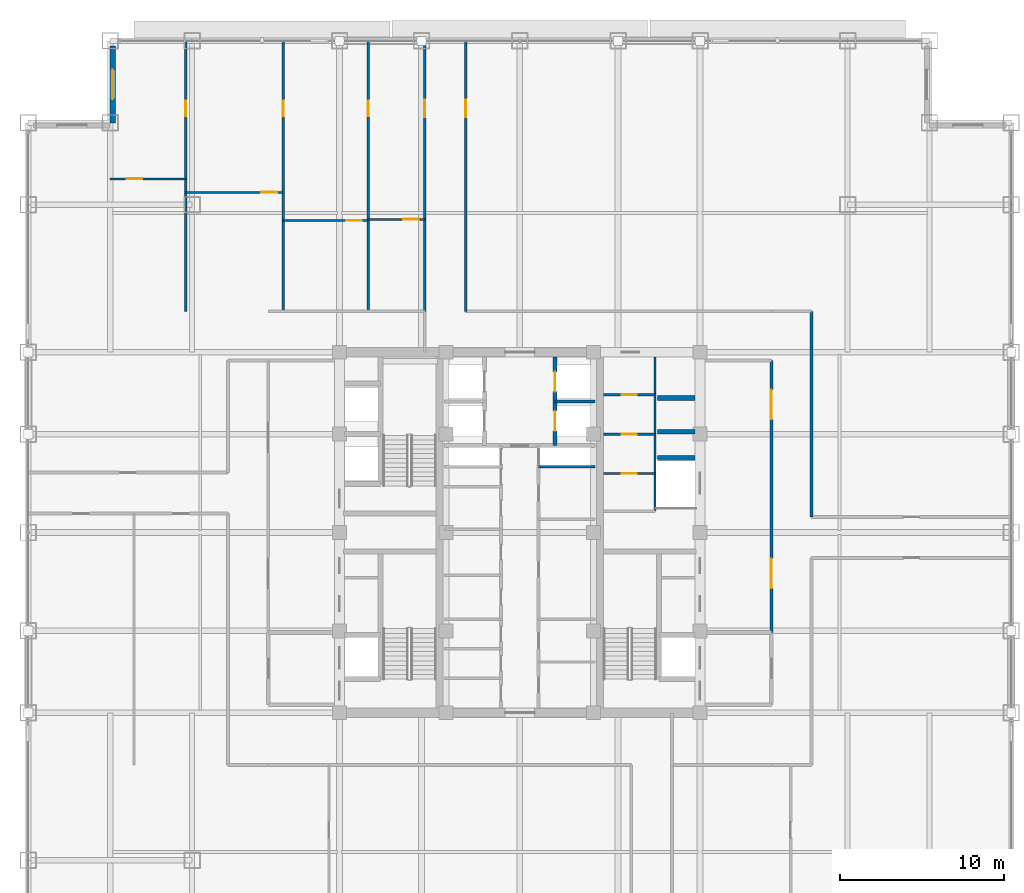
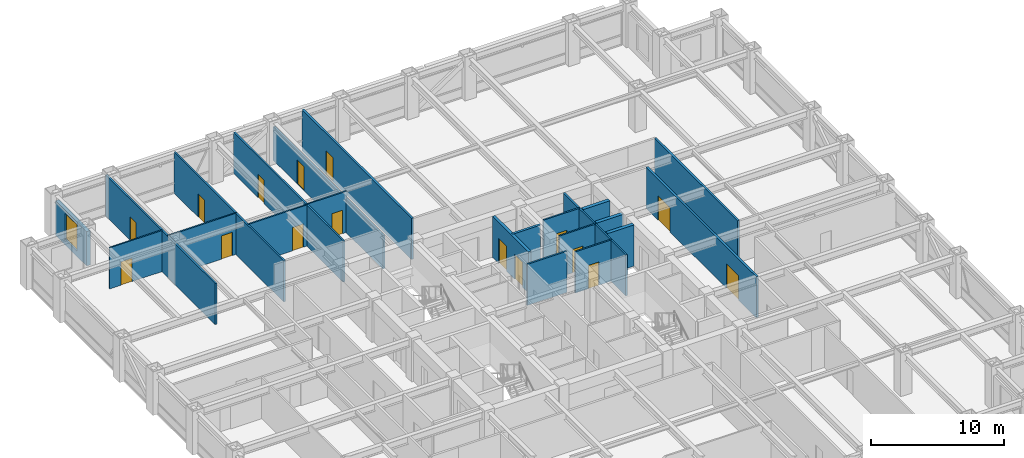
# One storey, part 23 of 29: 22 walls, 16 doors, 1 window, 17 openings.
"""IFC4 building model written with IfcOpenShell, lengths in metres."""

from ifc_helpers import new_model, si_unit, direction, frame, frame_2d, origin, place, context, subcontext, project, spatial, rectangle, extrude, source, transform, mapped, material, layer, layer_set, type_object, element, fill, save


model = new_model("IFC4")

# Units and contexts
model_context = context("Model", 3, precision=1e-05, world=origin(), true_north=direction((0.0, 1.0)))
body_context = subcontext(model_context, "Body", "Model", "MODEL_VIEW")
ifc_project = project(units=[si_unit("LENGTHUNIT", "METRE"), si_unit("AREAUNIT", "SQUARE_METRE"), si_unit("VOLUMEUNIT", "CUBIC_METRE"), si_unit("PLANEANGLEUNIT", "RADIAN"), si_unit("MASSUNIT", "GRAM", prefix="KILO")], contexts=[model_context])

# Site, building, storey
site_placement = place(None, origin())
site = spatial("IfcSite", under=ifc_project, at=site_placement, CompositionType="ELEMENT")
building_placement = place(site_placement, origin())
building = spatial("IfcBuilding", under=site, at=building_placement, Name="Khorayat Bourse Tower", CompositionType="ELEMENT")
storey_placement = place(building_placement, frame((0.0, 0.0, 235.10009765625)))
storey = spatial("IfcBuildingStorey", under=building, at=storey_placement, Name="L55", CompositionType="ELEMENT", Elevation=235.10009765625)

# Wall, opening, window
ifc_material_1 = material(Name="Precast concrete C45/55", Category="concrete")
ifc_layer_1 = layer(ifc_material_1, 0.320068359375)
ifc_layer_set_1 = layer_set([ifc_layer_1], Name="Precast concrete C45/55")
wall_type_1 = type_object("IfcWallType", Name="WAL-EXT-STONE-320", PredefinedType="STANDARD", material=ifc_layer_set_1)
shared_shape_1 = source(origin(), body_context, "Body", "SweptSolid", [
    extrude(rectangle(XDim=4.679931640625, YDim=0.320068359375, at=frame_2d((2.33984375, 0.0))), origin(), (0.0, 0.0, 1.0), 3.163818359375),
])
wall_1_placement = place(storey_placement, frame((-24.840087890625, 25.0, 0.0), z_axis=(0.0, 0.0, 1.0), x_axis=(0.0, 1.0, 0.0)))
wall_1 = element("IfcWall", 1, at=wall_1_placement, inside=storey, type_object=wall_type_1, Name="L55 Re-Entrant Notch Limestone Wall NW-V", PredefinedType="STANDARD", context=body_context, shape_type="MappedRepresentation", body=[
    mapped(shared_shape_1, transform((0.0, 0.0, 0.0), scale=1.0)),
])
shared_shape_2 = source(origin(), body_context, "Body", "SweptSolid", [
    extrude(rectangle(XDim=1.800048828125, YDim=2.39990234375, at=frame_2d((0.89990234375, 1.199951171875))), frame((0.0, 0.169921875, 0.0), z_axis=(0.0, -1.0, 0.0), x_axis=(1.0, 0.0, 0.0)), (0.0, 0.0, 1.0), 0.340087890625),
])
opening_1_placement = place(wall_1_placement, frame((1.43994140625, 0.0, 0.5)))
opening_1 = element("IfcOpeningElement", 2, at=opening_1_placement, cuts=wall_1, Name="Opening WN-04", PredefinedType="OPENING", context=body_context, shape_type="MappedRepresentation", body=[
    mapped(shared_shape_2, transform((0.0, 0.0, 0.0), scale=1.0)),
])
ifc_material_2 = material(Name="Low-E acoustic laminated double glazing", Category="glass")
window_type = type_object("IfcWindowType", Name="WIN-NOTCH-1800x2400", PartitioningType="SINGLE_PANEL", PredefinedType="WINDOW", material=ifc_material_2)
shared_shape_3 = source(origin(), body_context, "Body", "SweptSolid", [
    extrude(rectangle(XDim=1.800048828125, YDim=2.39990234375, at=frame_2d((0.89990234375, 1.199951171875))), frame((0.0, 0.030029296875, 0.0), z_axis=(0.0, -1.0, 0.0), x_axis=(1.0, 0.0, 0.0)), (0.0, 0.0, 1.0), 0.06005859375),
])
window_placement = place(opening_1_placement, origin())
window = element("IfcWindow", 3, at=window_placement, inside=storey, type_object=window_type, Name="L55 Facade Window 1", OverallHeight=2.39990234375, OverallWidth=1.800048828125, PartitioningType="SINGLE_PANEL", PredefinedType="WINDOW", context=body_context, shape_type="MappedRepresentation", body=[
    mapped(shared_shape_3, transform((0.0, 0.0, 0.0), scale=1.0)),
])
fill(opening_1, window)

# Walls
ifc_material_3 = material(Name="Concrete C50/60", Category="concrete")
ifc_layer_2 = layer(ifc_material_3, 0.300048828125)
ifc_layer_set_2 = layer_set([ifc_layer_2], Name="Concrete C50/60")
wall_type_2 = type_object("IfcWallType", Name="WAL-SHAFT-300", PredefinedType="SHEAR", material=ifc_layer_set_2)
shared_shape_4 = source(origin(), body_context, "Body", "SweptSolid", [
    extrude(rectangle(XDim=2.300048828125, YDim=0.300048828125, at=frame_2d((1.14990234375, 0.0))), origin(), (0.0, 0.0, 1.0), 3.77978515625),
])
for number, where, z_axis, x_axis, name in (
    (4, (8.39990234375, 4.550048828125, 0.0), (0.0, 0.0, 1.0), (1.0, 0.0, 0.0), "L55 Partition WAL-L55-EPIER-SVLN"),
    (5, (8.39990234375, 6.14990234375, 0.0), (0.0, 0.0, 1.0), (1.0, 0.0, 0.0), "L55 Partition WAL-L55-EPIER-H3S"),
    (6, (8.39990234375, 8.199951171875, 0.0), (0.0, 0.0, 1.0), (1.0, 0.0, 0.0), "L55 Partition WAL-L55-EPIER-H34"),
):
    element("IfcWall", number, at=place(storey_placement, frame(where, z_axis=z_axis, x_axis=x_axis)), inside=storey, type_object=wall_type_2, Name=name, PredefinedType="SHEAR", context=body_context, shape_type="MappedRepresentation", body=[
        mapped(shared_shape_4, transform((0.0, 0.0, 0.0), scale=1.0)),
    ])
ifc_material_4 = material(Name="Moisture-resistant masonry partition", Category="masonry")
ifc_layer_3 = layer(ifc_material_4, 0.139892578125)
ifc_layer_set_3 = layer_set([ifc_layer_3], Name="Moisture-resistant masonry partition")
wall_type_3 = type_object("IfcWallType", Name="WAL-PART-WET-140", PredefinedType="PARTITIONING", material=ifc_layer_set_3)
shared_shape_5 = source(origin(), body_context, "Body", "SweptSolid", [
    extrude(rectangle(XDim=9.39990234375, YDim=0.139892578125, at=frame_2d((4.699951171875, 0.0))), origin(), (0.0, 0.0, 1.0), 3.77978515625),
])
wall_2_placement = place(storey_placement, frame((8.25, 1.300048828125, 0.0), z_axis=(0.0, 0.0, 1.0), x_axis=(0.0, 1.0, 0.0)))
element("IfcWall", 7, at=wall_2_placement, inside=storey, type_object=wall_type_3, Name="L55 Partition WAL-L55-ECORE-E", PredefinedType="PARTITIONING", context=body_context, shape_type="MappedRepresentation", body=[
    mapped(shared_shape_5, transform((0.0, 0.0, 0.0), scale=1.0)),
])

# Wall, opening, door
shared_shape_6 = source(origin(), body_context, "Body", "SweptSolid", [
    extrude(rectangle(XDim=3.14990234375, YDim=0.139892578125, at=frame_2d((1.574951171875, 0.0))), origin(), (0.0, 0.0, 1.0), 3.77978515625),
])
wall_3_placement = place(storey_placement, frame((5.10009765625, 8.39990234375, 0.0), z_axis=(0.0, 0.0, 1.0), x_axis=(1.0, 0.0, 0.0)))
wall_3 = element("IfcWall", 8, at=wall_3_placement, inside=storey, type_object=wall_type_3, Name="L55 Partition WAL-L55-ECW-TOP", PredefinedType="PARTITIONING", context=body_context, shape_type="MappedRepresentation", body=[
    mapped(shared_shape_6, transform((0.0, 0.0, 0.0), scale=1.0)),
])
shared_shape_7 = source(origin(), body_context, "Body", "SweptSolid", [
    extrude(rectangle(XDim=0.89990234375, YDim=2.14990234375, at=frame_2d((0.449951171875, 1.074951171875))), frame((0.0, 0.079833984375, 0.0), z_axis=(0.0, -1.0, 0.0), x_axis=(1.0, 0.0, 0.0)), (0.0, 0.0, 1.0), 0.159912109375),
])
opening_2_placement = place(wall_3_placement, frame((1.1298828125, 0.0, 0.0)))
opening_2 = element("IfcOpeningElement", 9, at=opening_2_placement, cuts=wall_3, Name="Opening DI-06", PredefinedType="OPENING", context=body_context, shape_type="MappedRepresentation", body=[
    mapped(shared_shape_7, transform((0.0, 0.0, 0.0), scale=1.0)),
])
ifc_material_5 = material(Name="Moisture-resistant laminate washroom door")
door_type_1 = type_object("IfcDoorType", Name="DR-INT-WC-900", OperationType="NOTDEFINED", PredefinedType="DOOR", material=ifc_material_5)
shared_shape_8 = source(origin(), body_context, "Body", "SweptSolid", [
    extrude(rectangle(XDim=0.89990234375, YDim=2.14990234375, at=frame_2d((0.449951171875, 1.074951171875))), frame((0.0, 0.02490234375, 0.0), z_axis=(0.0, -1.0, 0.0), x_axis=(1.0, 0.0, 0.0)), (0.0, 0.0, 1.0), 0.050048828125),
])
door_1_placement = place(opening_2_placement, origin())
door_1 = element("IfcDoor", 10, at=door_1_placement, inside=storey, type_object=door_type_1, Name="L55 Accessible WC Door", OperationType="SINGLE_SWING_LEFT", OverallHeight=2.14990234375, OverallWidth=0.89990234375, PredefinedType="DOOR", context=body_context, shape_type="MappedRepresentation", body=[
    mapped(shared_shape_8, transform((0.0, 0.0, 0.0), scale=1.0)),
])
fill(opening_2, door_1)

wall_4_placement = place(storey_placement, frame((5.10009765625, 6.0, 0.0), z_axis=(0.0, 0.0, 1.0), x_axis=(1.0, 0.0, 0.0)))
wall_4 = element("IfcWall", 11, at=wall_4_placement, inside=storey, type_object=wall_type_3, Name="L55 Partition WAL-L55-ECW-H1", PredefinedType="PARTITIONING", context=body_context, shape_type="MappedRepresentation", body=[
    mapped(shared_shape_6, transform((0.0, 0.0, 0.0), scale=1.0)),
])
opening_3_placement = place(wall_4_placement, frame((1.1298828125, 0.0, 0.0)))
opening_3 = element("IfcOpeningElement", 12, at=opening_3_placement, cuts=wall_4, Name="Opening DI-06", PredefinedType="OPENING", context=body_context, shape_type="MappedRepresentation", body=[
    mapped(shared_shape_7, transform((0.0, 0.0, 0.0), scale=1.0)),
])
door_2_placement = place(opening_3_placement, origin())
door_2 = element("IfcDoor", 13, at=door_2_placement, inside=storey, type_object=door_type_1, Name="L55 Shared Washroom Door", OperationType="SINGLE_SWING_RIGHT", OverallHeight=2.14990234375, OverallWidth=0.89990234375, PredefinedType="DOOR", context=body_context, shape_type="MappedRepresentation", body=[
    mapped(shared_shape_8, transform((0.0, 0.0, 0.0), scale=1.0)),
])
fill(opening_3, door_2)

wall_5_placement = place(storey_placement, frame((5.10009765625, 3.60009765625, 0.0), z_axis=(0.0, 0.0, 1.0), x_axis=(1.0, 0.0, 0.0)))
wall_5 = element("IfcWall", 14, at=wall_5_placement, inside=storey, type_object=wall_type_3, Name="L55 Partition WAL-L55-ECW-H2", PredefinedType="PARTITIONING", context=body_context, shape_type="MappedRepresentation", body=[
    mapped(shared_shape_6, transform((0.0, 0.0, 0.0), scale=1.0)),
])
opening_4_placement = place(wall_5_placement, frame((1.1298828125, 0.0, 0.0)))
opening_4 = element("IfcOpeningElement", 15, at=opening_4_placement, cuts=wall_5, Name="Opening DI-06", PredefinedType="OPENING", context=body_context, shape_type="MappedRepresentation", body=[
    mapped(shared_shape_7, transform((0.0, 0.0, 0.0), scale=1.0)),
])
door_3_placement = place(opening_4_placement, origin())
door_3 = element("IfcDoor", 16, at=door_3_placement, inside=storey, type_object=door_type_1, Name="L55 Staff Washroom Door", OperationType="SINGLE_SWING_LEFT", OverallHeight=2.14990234375, OverallWidth=0.89990234375, PredefinedType="DOOR", context=body_context, shape_type="MappedRepresentation", body=[
    mapped(shared_shape_8, transform((0.0, 0.0, 0.0), scale=1.0)),
])
fill(opening_4, door_3)

# Wall, openings, doors
ifc_material_6 = material(Name="Gypsum plasterboard acoustic stud wall")
ifc_layer_4 = layer(ifc_material_6, 0.179931640625)
ifc_layer_set_4 = layer_set([ifc_layer_4], Name="Gypsum plasterboard acoustic stud wall")
wall_type_4 = type_object("IfcWallType", Name="WAL-PART-CORR-180", PredefinedType="PARTITIONING", material=ifc_layer_set_4)
shared_shape_9 = source(origin(), body_context, "Body", "SweptSolid", [
    extrude(rectangle(XDim=16.60009765625, YDim=0.179931640625, at=frame_2d((8.300048828125, 0.0))), origin(), (0.0, 0.0, 1.0), 3.77978515625),
])
wall_6_placement = place(storey_placement, frame((15.35009765625, -6.10009765625, 0.0), z_axis=(0.0, 0.0, 1.0), x_axis=(0.0, 1.0, 0.0)))
wall_6 = element("IfcWall", 17, at=wall_6_placement, inside=storey, type_object=wall_type_4, Name="L55 Partition WAL-L55-ELOB-E", PredefinedType="PARTITIONING", context=body_context, shape_type="MappedRepresentation", body=[
    mapped(shared_shape_9, transform((0.0, 0.0, 0.0), scale=1.0)),
])
shared_shape_10 = source(origin(), body_context, "Body", "SweptSolid", [
    extrude(rectangle(XDim=1.800048828125, YDim=2.25, at=frame_2d((0.89990234375, 1.125))), frame((0.0, 0.099853515625, 0.0), z_axis=(0.0, -1.0, 0.0), x_axis=(1.0, 0.0, 0.0)), (0.0, 0.0, 1.0), 0.199951171875),
])
opening_5_placement = place(wall_6_placement, frame((2.699951171875, 0.0, 0.0)))
opening_5 = element("IfcOpeningElement", 18, at=opening_5_placement, cuts=wall_6, Name="Opening DI-03", PredefinedType="OPENING", context=body_context, shape_type="MappedRepresentation", body=[
    mapped(shared_shape_10, transform((0.0, 0.0, 0.0), scale=1.0)),
])
opening_6_placement = place(wall_6_placement, frame((13.0, 0.0, 0.0)))
opening_6 = element("IfcOpeningElement", 19, at=opening_6_placement, cuts=wall_6, Name="Opening DI-03", PredefinedType="OPENING", context=body_context, shape_type="MappedRepresentation", body=[
    mapped(shared_shape_10, transform((0.0, 0.0, 0.0), scale=1.0)),
])
ifc_material_7 = material(Name="Fire-rated hardwood vision-panel double leaf", Category="wood")
door_type_2 = type_object("IfcDoorType", Name="DR-INT-CORR-1800", OperationType="NOTDEFINED", PredefinedType="DOOR", material=ifc_material_7)
shared_shape_11 = source(origin(), body_context, "Body", "SweptSolid", [
    extrude(rectangle(XDim=1.800048828125, YDim=2.25, at=frame_2d((0.89990234375, 1.125))), frame((0.0, 0.02490234375, 0.0), z_axis=(0.0, -1.0, 0.0), x_axis=(1.0, 0.0, 0.0)), (0.0, 0.0, 1.0), 0.050048828125),
])
door_4_placement = place(opening_5_placement, origin())
door_4 = element("IfcDoor", 20, at=door_4_placement, inside=storey, type_object=door_type_2, Name="L55 East Core Lobby South Door", OperationType="SINGLE_SWING_RIGHT", OverallHeight=2.25, OverallWidth=1.800048828125, PredefinedType="DOOR", context=body_context, shape_type="MappedRepresentation", body=[
    mapped(shared_shape_11, transform((0.0, 0.0, 0.0), scale=1.0)),
])
fill(opening_5, door_4)
door_5_placement = place(opening_6_placement, origin())
door_5 = element("IfcDoor", 21, at=door_5_placement, inside=storey, type_object=door_type_2, Name="L55 East Core Lobby North Door", OperationType="SINGLE_SWING_LEFT", OverallHeight=2.25, OverallWidth=1.800048828125, PredefinedType="DOOR", context=body_context, shape_type="MappedRepresentation", body=[
    mapped(shared_shape_11, transform((0.0, 0.0, 0.0), scale=1.0)),
])
fill(opening_6, door_5)

# Wall
ifc_material_8 = material(Name="Gypsum plasterboard twin-frame partition")
ifc_layer_5 = layer(ifc_material_8, 0.14990234375)
ifc_layer_set_5 = layer_set([ifc_layer_5], Name="Gypsum plasterboard twin-frame partition")
wall_type_5 = type_object("IfcWallType", Name="WAL-PART-SUITE-150", PredefinedType="PARTITIONING", material=ifc_layer_set_5)
shared_shape_12 = source(origin(), body_context, "Body", "SweptSolid", [
    extrude(rectangle(XDim=3.4501953125, YDim=0.14990234375, at=frame_2d((1.72509765625, 0.0))), origin(), (0.0, 0.0, 1.0), 3.77978515625),
])
wall_7_placement = place(storey_placement, frame((1.14990234375, 4.0, 0.0), z_axis=(0.0, 0.0, 1.0), x_axis=(1.0, 0.0, 0.0)))
element("IfcWall", 22, at=wall_7_placement, inside=storey, type_object=wall_type_5, Name="L55 Partition WAL-L55-CRSE-S", PredefinedType="PARTITIONING", context=body_context, shape_type="MappedRepresentation", body=[
    mapped(shared_shape_12, transform((0.0, 0.0, 0.0), scale=1.0)),
])

# Wall, openings, doors
shared_shape_13 = source(origin(), body_context, "Body", "SweptSolid", [
    extrude(rectangle(XDim=5.39990234375, YDim=0.25, at=frame_2d((2.699951171875, 0.0))), origin(), (0.0, 0.0, 1.0), 3.77978515625),
])
wall_8_placement = place(storey_placement, frame((2.14990234375, 5.300048828125, 0.0), z_axis=(0.0, 0.0, 1.0), x_axis=(0.0, 1.0, 0.0)))
wall_8 = element("IfcWall", 23, at=wall_8_placement, inside=storey, type_object=wall_type_2, Name="L55 Partition WAL-L55-B2-E", PredefinedType="SHEAR", context=body_context, shape_type="MappedRepresentation", body=[
    mapped(shared_shape_13, transform((0.0, 0.0, 0.0), scale=1.0)),
])
shared_shape_14 = source(origin(), body_context, "Body", "SweptSolid", [
    extrude(rectangle(XDim=1.199951171875, YDim=2.300048828125, at=frame_2d((0.60009765625, 1.14990234375))), frame((0.0, 0.135009765625, 0.0), z_axis=(0.0, -1.0, 0.0), x_axis=(1.0, 0.0, 0.0)), (0.0, 0.0, 1.0), 0.27001953125),
])
opening_7_placement = place(wall_8_placement, frame((3.300048828125, 0.0, 0.0)))
opening_7 = element("IfcOpeningElement", 24, at=opening_7_placement, cuts=wall_8, Name="Opening LD-01", PredefinedType="OPENING", context=body_context, shape_type="MappedRepresentation", body=[
    mapped(shared_shape_14, transform((0.0, 0.0, 0.0), scale=1.0)),
])
opening_8_placement = place(wall_8_placement, frame((0.89990234375, 0.0, 0.0)))
opening_8 = element("IfcOpeningElement", 25, at=opening_8_placement, cuts=wall_8, Name="Opening LD-01", PredefinedType="OPENING", context=body_context, shape_type="MappedRepresentation", body=[
    mapped(shared_shape_14, transform((0.0, 0.0, 0.0), scale=1.0)),
])
ifc_material_9 = material(Name="Brushed bronze stainless-steel sliding door", Category="steel")
door_type_3 = type_object("IfcDoorType", Name="DR-LIFT-PASS-1200", OperationType="NOTDEFINED", PredefinedType="DOOR", material=ifc_material_9)
shared_shape_15 = source(origin(), body_context, "Body", "SweptSolid", [
    extrude(rectangle(XDim=1.199951171875, YDim=2.300048828125, at=frame_2d((0.60009765625, 1.14990234375))), frame((0.0, 0.02490234375, 0.0), z_axis=(0.0, -1.0, 0.0), x_axis=(1.0, 0.0, 0.0)), (0.0, 0.0, 1.0), 0.050048828125),
])
door_6_placement = place(opening_7_placement, origin())
door_6 = element("IfcDoor", 26, at=door_6_placement, inside=storey, type_object=door_type_3, Name="L55 Lift PL-M2 Sliding Landing Door", OperationType="SLIDING_TO_LEFT", OverallHeight=2.300048828125, OverallWidth=1.199951171875, PredefinedType="DOOR", context=body_context, shape_type="MappedRepresentation", body=[
    mapped(shared_shape_15, transform((0.0, 0.0, 0.0), scale=1.0)),
])
fill(opening_7, door_6)
door_7_placement = place(opening_8_placement, origin())
door_7 = element("IfcDoor", 27, at=door_7_placement, inside=storey, type_object=door_type_3, Name="L55 Lift PL-M4 Sliding Landing Door", OperationType="SLIDING_TO_LEFT", OverallHeight=2.300048828125, OverallWidth=1.199951171875, PredefinedType="DOOR", context=body_context, shape_type="MappedRepresentation", body=[
    mapped(shared_shape_15, transform((0.0, 0.0, 0.0), scale=1.0)),
])
fill(opening_8, door_7)

# Wall
shared_shape_16 = source(origin(), body_context, "Body", "SweptSolid", [
    extrude(rectangle(XDim=2.4501953125, YDim=0.199951171875, at=frame_2d((1.22509765625, 0.0))), origin(), (0.0, 0.0, 1.0), 3.77978515625),
])
wall_9_placement = place(storey_placement, frame((2.14990234375, 8.0, 0.0), z_axis=(0.0, 0.0, 1.0), x_axis=(1.0, 0.0, 0.0)))
element("IfcWall", 28, at=wall_9_placement, inside=storey, type_object=wall_type_2, Name="L55 Partition WAL-L55-B2-ME", PredefinedType="SHEAR", context=body_context, shape_type="MappedRepresentation", body=[
    mapped(shared_shape_16, transform((0.0, 0.0, 0.0), scale=1.0)),
])

# Wall, opening, door
shared_shape_17 = source(origin(), body_context, "Body", "SweptSolid", [
    extrude(rectangle(XDim=16.5, YDim=0.179931640625, at=frame_2d((8.25, 0.0))), origin(), (0.0, 0.0, 1.0), 3.77978515625),
])
wall_10_placement = place(storey_placement, frame((-3.300048828125, 13.5, 0.0), z_axis=(0.0, 0.0, 1.0), x_axis=(0.0, 1.0, 0.0)))
wall_10 = element("IfcWall", 29, at=wall_10_placement, inside=storey, type_object=wall_type_4, Name="L55 Partition WAL-L55-QNE-SPK", PredefinedType="PARTITIONING", context=body_context, shape_type="MappedRepresentation", body=[
    mapped(shared_shape_17, transform((0.0, 0.0, 0.0), scale=1.0)),
])
shared_shape_18 = source(origin(), body_context, "Body", "SweptSolid", [
    extrude(rectangle(XDim=1.050048828125, YDim=2.199951171875, at=frame_2d((0.52490234375, 1.10009765625))), frame((0.0, 0.099853515625, 0.0), z_axis=(0.0, -1.0, 0.0), x_axis=(1.0, 0.0, 0.0)), (0.0, 0.0, 1.0), 0.199951171875),
])
opening_9_placement = place(wall_10_placement, frame((11.85009765625, 0.0, 0.0)))
opening_9 = element("IfcOpeningElement", 30, at=opening_9_placement, cuts=wall_10, Name="Opening DI-04", PredefinedType="OPENING", context=body_context, shape_type="MappedRepresentation", body=[
    mapped(shared_shape_18, transform((0.0, 0.0, 0.0), scale=1.0)),
])
ifc_material_10 = material(Name="Fire-rated oak veneer suite entrance door")
door_type_4 = type_object("IfcDoorType", Name="DR-INT-SUITE-1050", OperationType="NOTDEFINED", PredefinedType="DOOR", material=ifc_material_10)
shared_shape_19 = source(origin(), body_context, "Body", "SweptSolid", [
    extrude(rectangle(XDim=1.050048828125, YDim=2.199951171875, at=frame_2d((0.52490234375, 1.10009765625))), frame((0.0, 0.02490234375, 0.0), z_axis=(0.0, -1.0, 0.0), x_axis=(1.0, 0.0, 0.0)), (0.0, 0.0, 1.0), 0.050048828125),
])
door_8_placement = place(opening_9_placement, origin())
door_8 = element("IfcDoor", 31, at=door_8_placement, inside=storey, type_object=door_type_4, Name="L55 North-East Radial Spoke Entry", OperationType="SINGLE_SWING_LEFT", OverallHeight=2.199951171875, OverallWidth=1.050048828125, PredefinedType="DOOR", context=body_context, shape_type="MappedRepresentation", body=[
    mapped(shared_shape_19, transform((0.0, 0.0, 0.0), scale=1.0)),
])
fill(opening_9, door_8)

shared_shape_20 = source(origin(), body_context, "Body", "SweptSolid", [
    extrude(rectangle(XDim=16.5, YDim=0.14990234375, at=frame_2d((8.25, 0.0))), origin(), (0.0, 0.0, 1.0), 3.77978515625),
])
wall_11_placement = place(storey_placement, frame((-20.39208984375, 13.5, 0.0), z_axis=(0.0, 0.0, 1.0), x_axis=(0.0, 1.0, 0.0)))
wall_11 = element("IfcWall", 32, at=wall_11_placement, inside=storey, type_object=wall_type_5, Name="L55 Partition WAL-L55-QNWDV-1", PredefinedType="PARTITIONING", context=body_context, shape_type="MappedRepresentation", body=[
    mapped(shared_shape_20, transform((0.0, 0.0, 0.0), scale=1.0)),
])
shared_shape_21 = source(origin(), body_context, "Body", "SweptSolid", [
    extrude(rectangle(XDim=0.949951171875, YDim=2.14990234375, at=frame_2d((0.47509765625, 1.074951171875))), frame((0.0, 0.0849609375, 0.0), z_axis=(0.0, -1.0, 0.0), x_axis=(1.0, 0.0, 0.0)), (0.0, 0.0, 1.0), 0.169921875),
])
opening_10_placement = place(wall_11_placement, frame((11.89990234375, 0.0, 0.0)))
opening_10 = element("IfcOpeningElement", 33, at=opening_10_placement, cuts=wall_11, Name="Opening DI-05", PredefinedType="OPENING", context=body_context, shape_type="MappedRepresentation", body=[
    mapped(shared_shape_21, transform((0.0, 0.0, 0.0), scale=1.0)),
])
ifc_material_11 = material(Name="Acoustic oak veneer office door")
door_type_5 = type_object("IfcDoorType", Name="DR-INT-OFFICE-950", OperationType="NOTDEFINED", PredefinedType="DOOR", material=ifc_material_11)
shared_shape_22 = source(origin(), body_context, "Body", "SweptSolid", [
    extrude(rectangle(XDim=0.949951171875, YDim=2.14990234375, at=frame_2d((0.47509765625, 1.074951171875))), frame((0.0, 0.02490234375, 0.0), z_axis=(0.0, -1.0, 0.0), x_axis=(1.0, 0.0, 0.0)), (0.0, 0.0, 1.0), 0.050048828125),
])
door_9_placement = place(opening_10_placement, origin())
door_9 = element("IfcDoor", 34, at=door_9_placement, inside=storey, type_object=door_type_5, Name="L55 North-West Suite Link 1", OperationType="SINGLE_SWING_RIGHT", OverallHeight=2.14990234375, OverallWidth=0.949951171875, PredefinedType="DOOR", context=body_context, shape_type="MappedRepresentation", body=[
    mapped(shared_shape_22, transform((0.0, 0.0, 0.0), scale=1.0)),
])
fill(opening_10, door_9)

wall_12_placement = place(storey_placement, frame((-14.43994140625, 13.5, 0.0), z_axis=(0.0, 0.0, 1.0), x_axis=(0.0, 1.0, 0.0)))
wall_12 = element("IfcWall", 35, at=wall_12_placement, inside=storey, type_object=wall_type_5, Name="L55 Partition WAL-L55-QNWDV-2", PredefinedType="PARTITIONING", context=body_context, shape_type="MappedRepresentation", body=[
    mapped(shared_shape_20, transform((0.0, 0.0, 0.0), scale=1.0)),
])
opening_11_placement = place(wall_12_placement, frame((11.89990234375, 0.0, 0.0)))
opening_11 = element("IfcOpeningElement", 36, at=opening_11_placement, cuts=wall_12, Name="Opening DI-05", PredefinedType="OPENING", context=body_context, shape_type="MappedRepresentation", body=[
    mapped(shared_shape_21, transform((0.0, 0.0, 0.0), scale=1.0)),
])
door_10_placement = place(opening_11_placement, origin())
door_10 = element("IfcDoor", 37, at=door_10_placement, inside=storey, type_object=door_type_5, Name="L55 North-West Suite Link 2", OperationType="SINGLE_SWING_LEFT", OverallHeight=2.14990234375, OverallWidth=0.949951171875, PredefinedType="DOOR", context=body_context, shape_type="MappedRepresentation", body=[
    mapped(shared_shape_22, transform((0.0, 0.0, 0.0), scale=1.0)),
])
fill(opening_11, door_10)

wall_13_placement = place(storey_placement, frame((-9.256103515625, 13.5, 0.0), z_axis=(0.0, 0.0, 1.0), x_axis=(0.0, 1.0, 0.0)))
wall_13 = element("IfcWall", 38, at=wall_13_placement, inside=storey, type_object=wall_type_5, Name="L55 Partition WAL-L55-QNWDV-3", PredefinedType="PARTITIONING", context=body_context, shape_type="MappedRepresentation", body=[
    mapped(shared_shape_20, transform((0.0, 0.0, 0.0), scale=1.0)),
])
opening_12_placement = place(wall_13_placement, frame((11.89990234375, 0.0, 0.0)))
opening_12 = element("IfcOpeningElement", 39, at=opening_12_placement, cuts=wall_13, Name="Opening DI-05", PredefinedType="OPENING", context=body_context, shape_type="MappedRepresentation", body=[
    mapped(shared_shape_21, transform((0.0, 0.0, 0.0), scale=1.0)),
])
door_11_placement = place(opening_12_placement, origin())
door_11 = element("IfcDoor", 40, at=door_11_placement, inside=storey, type_object=door_type_5, Name="L55 North-West Suite Link 3", OperationType="SINGLE_SWING_RIGHT", OverallHeight=2.14990234375, OverallWidth=0.949951171875, PredefinedType="DOOR", context=body_context, shape_type="MappedRepresentation", body=[
    mapped(shared_shape_22, transform((0.0, 0.0, 0.0), scale=1.0)),
])
fill(opening_12, door_11)

ifc_material_12 = material(Name="Gypsum plasterboard partition")
ifc_layer_6 = layer(ifc_material_12, 0.125)
ifc_layer_set_6 = layer_set([ifc_layer_6], Name="Gypsum plasterboard partition")
wall_type_6 = type_object("IfcWallType", Name="WAL-PART-ROOM-125", PredefinedType="PARTITIONING", material=ifc_layer_set_6)
shared_shape_23 = source(origin(), body_context, "Body", "SweptSolid", [
    extrude(rectangle(XDim=4.60791015625, YDim=0.125, at=frame_2d((2.303955078125, 0.0))), origin(), (0.0, 0.0, 1.0), 3.77978515625),
])
wall_14_placement = place(storey_placement, frame((-25.0, 21.5849609375, 0.0), z_axis=(0.0, 0.0, 1.0), x_axis=(1.0, 0.0, 0.0)))
wall_14 = element("IfcWall", 41, at=wall_14_placement, inside=storey, type_object=wall_type_6, Name="L55 Partition WAL-L55-QNWDP-1", PredefinedType="PARTITIONING", context=body_context, shape_type="MappedRepresentation", body=[
    mapped(shared_shape_23, transform((0.0, 0.0, 0.0), scale=1.0)),
])
shared_shape_24 = source(origin(), body_context, "Body", "SweptSolid", [
    extrude(rectangle(XDim=0.949951171875, YDim=2.14990234375, at=frame_2d((0.47509765625, 1.074951171875))), frame((0.0, 0.072509765625, 0.0), z_axis=(0.0, -1.0, 0.0), x_axis=(1.0, 0.0, 0.0)), (0.0, 0.0, 1.0), 0.14501953125),
])
opening_13_placement = place(wall_14_placement, frame((0.99951171875, 0.0, 0.0)))
opening_13 = element("IfcOpeningElement", 42, at=opening_13_placement, cuts=wall_14, Name="Opening DI-05", PredefinedType="OPENING", context=body_context, shape_type="MappedRepresentation", body=[
    mapped(shared_shape_24, transform((0.0, 0.0, 0.0), scale=1.0)),
])
door_12_placement = place(opening_13_placement, origin())
door_12 = element("IfcDoor", 43, at=door_12_placement, inside=storey, type_object=door_type_5, Name="L55 North-West Staff Tea Pantry 1B Door", OperationType="SINGLE_SWING_RIGHT", OverallHeight=2.14990234375, OverallWidth=0.949951171875, PredefinedType="DOOR", context=body_context, shape_type="MappedRepresentation", body=[
    mapped(shared_shape_22, transform((0.0, 0.0, 0.0), scale=1.0)),
])
fill(opening_13, door_12)

shared_shape_25 = source(origin(), body_context, "Body", "SweptSolid", [
    extrude(rectangle(XDim=5.9521484375, YDim=0.125, at=frame_2d((2.97607421875, 0.0))), origin(), (0.0, 0.0, 1.0), 3.77978515625),
])
wall_15_placement = place(storey_placement, frame((-20.39208984375, 20.760009765625, 0.0), z_axis=(0.0, 0.0, 1.0), x_axis=(1.0, 0.0, 0.0)))
wall_15 = element("IfcWall", 44, at=wall_15_placement, inside=storey, type_object=wall_type_6, Name="L55 Partition WAL-L55-QNWDP-2", PredefinedType="PARTITIONING", context=body_context, shape_type="MappedRepresentation", body=[
    mapped(shared_shape_25, transform((0.0, 0.0, 0.0), scale=1.0)),
])
opening_14_placement = place(wall_15_placement, frame((4.626953125, 0.0, 0.0)))
opening_14 = element("IfcOpeningElement", 45, at=opening_14_placement, cuts=wall_15, Name="Opening DI-05", PredefinedType="OPENING", context=body_context, shape_type="MappedRepresentation", body=[
    mapped(shared_shape_24, transform((0.0, 0.0, 0.0), scale=1.0)),
])
door_13_placement = place(opening_14_placement, origin())
door_13 = element("IfcDoor", 46, at=door_13_placement, inside=storey, type_object=door_type_5, Name="L55 North-West Market Reference Library 2B Door", OperationType="SINGLE_SWING_LEFT", OverallHeight=2.14990234375, OverallWidth=0.949951171875, PredefinedType="DOOR", context=body_context, shape_type="MappedRepresentation", body=[
    mapped(shared_shape_22, transform((0.0, 0.0, 0.0), scale=1.0)),
])
fill(opening_14, door_13)

shared_shape_26 = source(origin(), body_context, "Body", "SweptSolid", [
    extrude(rectangle(XDim=5.183837890625, YDim=0.125, at=frame_2d((2.591796875, 0.0))), origin(), (0.0, 0.0, 1.0), 3.77978515625),
])
wall_16_placement = place(storey_placement, frame((-14.43994140625, 19.034912109375, 0.0), z_axis=(0.0, 0.0, 1.0), x_axis=(1.0, 0.0, 0.0)))
wall_16 = element("IfcWall", 47, at=wall_16_placement, inside=storey, type_object=wall_type_6, Name="L55 Partition WAL-L55-QNWDP-3", PredefinedType="PARTITIONING", context=body_context, shape_type="MappedRepresentation", body=[
    mapped(shared_shape_26, transform((0.0, 0.0, 0.0), scale=1.0)),
])
opening_15_placement = place(wall_16_placement, frame((3.85888671875, 0.0, 0.0)))
opening_15 = element("IfcOpeningElement", 48, at=opening_15_placement, cuts=wall_16, Name="Opening DI-05", PredefinedType="OPENING", context=body_context, shape_type="MappedRepresentation", body=[
    mapped(shared_shape_24, transform((0.0, 0.0, 0.0), scale=1.0)),
])
door_14_placement = place(opening_15_placement, origin())
door_14 = element("IfcDoor", 49, at=door_14_placement, inside=storey, type_object=door_type_5, Name="L55 North-West Floor Reception Concierge 3B Door", OperationType="SINGLE_SWING_RIGHT", OverallHeight=2.14990234375, OverallWidth=0.949951171875, PredefinedType="DOOR", context=body_context, shape_type="MappedRepresentation", body=[
    mapped(shared_shape_22, transform((0.0, 0.0, 0.0), scale=1.0)),
])
fill(opening_15, door_14)

shared_shape_27 = source(origin(), body_context, "Body", "SweptSolid", [
    extrude(rectangle(XDim=3.4560546875, YDim=0.125, at=frame_2d((1.72802734375, 0.0))), origin(), (0.0, 0.0, 1.0), 3.77978515625),
])
wall_17_placement = place(storey_placement, frame((-9.256103515625, 19.110107421875, 0.0), z_axis=(0.0, 0.0, 1.0), x_axis=(1.0, 0.0, 0.0)))
wall_17 = element("IfcWall", 50, at=wall_17_placement, inside=storey, type_object=wall_type_6, Name="L55 Partition WAL-L55-QNWDP-4", PredefinedType="PARTITIONING", context=body_context, shape_type="MappedRepresentation", body=[
    mapped(shared_shape_27, transform((0.0, 0.0, 0.0), scale=1.0)),
])
opening_16_placement = place(wall_17_placement, frame((2.131103515625, 0.0, 0.0)))
opening_16 = element("IfcOpeningElement", 51, at=opening_16_placement, cuts=wall_17, Name="Opening DI-05", PredefinedType="OPENING", context=body_context, shape_type="MappedRepresentation", body=[
    mapped(shared_shape_24, transform((0.0, 0.0, 0.0), scale=1.0)),
])
door_15_placement = place(opening_16_placement, origin())
door_15 = element("IfcDoor", 52, at=door_15_placement, inside=storey, type_object=door_type_5, Name="L55 North-West Brokerage Member Kiosk 4B Door", OperationType="SINGLE_SWING_LEFT", OverallHeight=2.14990234375, OverallWidth=0.949951171875, PredefinedType="DOOR", context=body_context, shape_type="MappedRepresentation", body=[
    mapped(shared_shape_22, transform((0.0, 0.0, 0.0), scale=1.0)),
])
fill(opening_16, door_15)

shared_shape_28 = source(origin(), body_context, "Body", "SweptSolid", [
    extrude(rectangle(XDim=16.5, YDim=0.179931640625, at=frame_2d((8.25, 0.0))), origin(), (0.0, 0.0, 1.0), 3.0849609375),
])
wall_18_placement = place(storey_placement, frame((-5.800048828125, 13.5, 0.0), z_axis=(0.0, 0.0, 1.0), x_axis=(0.0, 1.0, 0.0)))
wall_18 = element("IfcWall", 53, at=wall_18_placement, inside=storey, type_object=wall_type_4, Name="L55 Partition WAL-L55-QNW-SPK", PredefinedType="PARTITIONING", context=body_context, shape_type="MappedRepresentation", body=[
    mapped(shared_shape_28, transform((0.0, 0.0, 0.0), scale=1.0)),
])
opening_17_placement = place(wall_18_placement, frame((11.85009765625, 0.0, 0.0)))
opening_17 = element("IfcOpeningElement", 54, at=opening_17_placement, cuts=wall_18, Name="Opening DI-04", PredefinedType="OPENING", context=body_context, shape_type="MappedRepresentation", body=[
    mapped(shared_shape_18, transform((0.0, 0.0, 0.0), scale=1.0)),
])
door_16_placement = place(opening_17_placement, origin())
door_16 = element("IfcDoor", 55, at=door_16_placement, inside=storey, type_object=door_type_4, Name="L55 North-West Radial Spoke Entry", OperationType="SINGLE_SWING_LEFT", OverallHeight=2.199951171875, OverallWidth=1.050048828125, PredefinedType="DOOR", context=body_context, shape_type="MappedRepresentation", body=[
    mapped(shared_shape_19, transform((0.0, 0.0, 0.0), scale=1.0)),
])
fill(opening_17, door_16)

# Wall
shared_shape_29 = source(origin(), body_context, "Body", "SweptSolid", [
    extrude(rectangle(XDim=12.550048828125, YDim=0.179931640625, at=frame_2d((6.27490234375, 0.0))), origin(), (0.0, 0.0, 1.0), 3.77978515625),
])
wall_19_placement = place(storey_placement, frame((17.800048828125, 0.949951171875, 0.0), z_axis=(0.0, 0.0, 1.0), x_axis=(0.0, 1.0, 0.0)))
element("IfcWall", 56, at=wall_19_placement, inside=storey, type_object=wall_type_4, Name="L55 Partition WAL-L55-EN-IN", PredefinedType="PARTITIONING", context=body_context, shape_type="MappedRepresentation", body=[
    mapped(shared_shape_29, transform((0.0, 0.0, 0.0), scale=1.0)),
])

save(model, "model.ifc")
